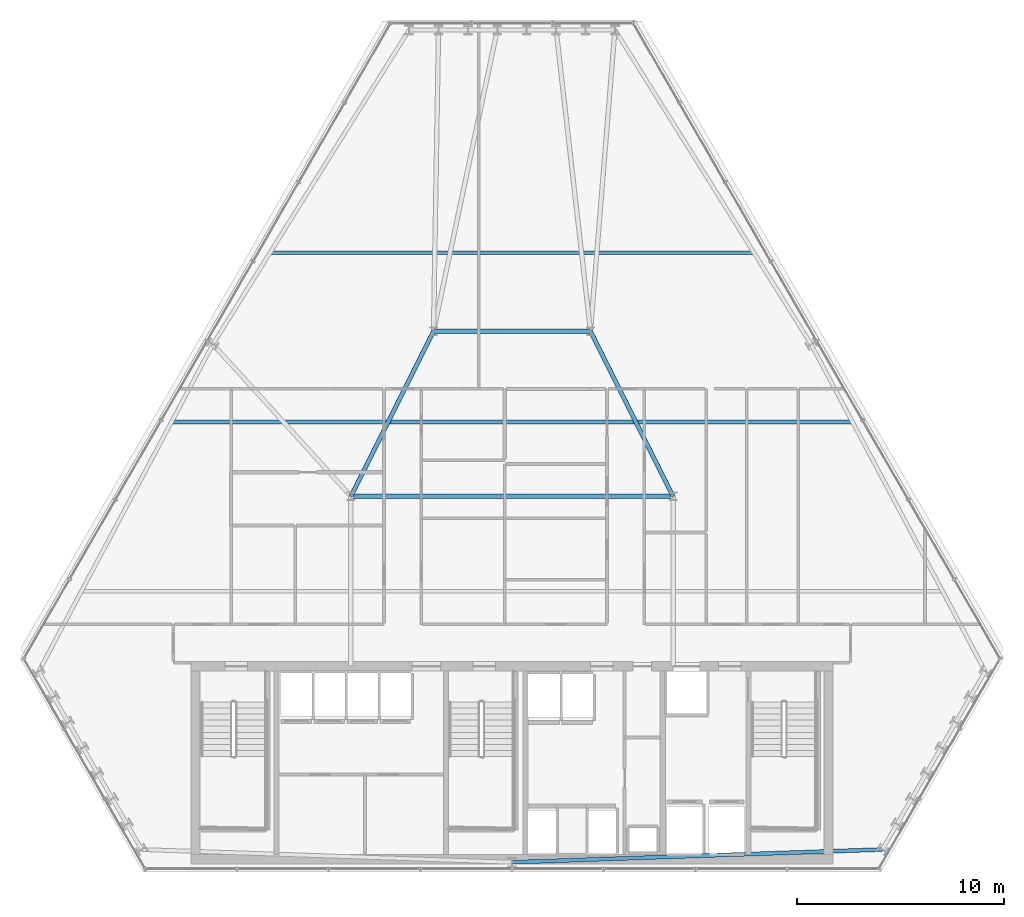
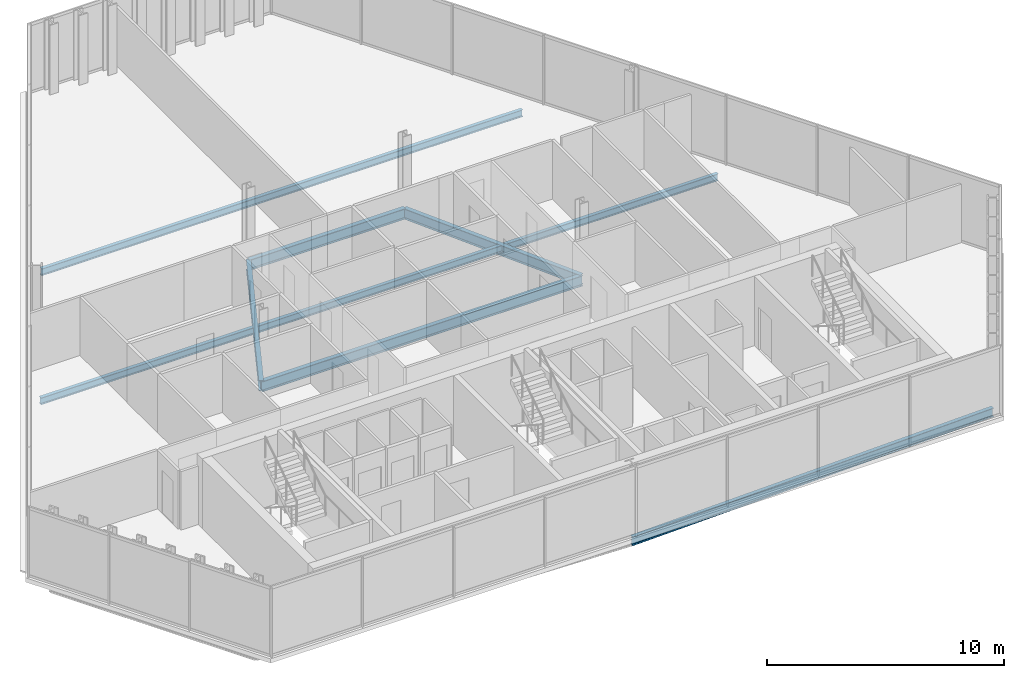
# One storey, part 14 of 31: 7 beams.
"""IFC4 building model written with IfcOpenShell, lengths in metres."""

from ifc_helpers import new_model, si_unit, direction, frame, origin, origin_2d, place, context, subcontext, project, spatial, i_section, extrude, material, material_profile, profile_set, type_object, element, save


model = new_model("IFC4")

# Units and contexts
model_context = context("Model", 3, precision=1e-05, world=origin(), true_north=direction((0.0, 1.0)))
body_context = subcontext(model_context, "Body", "Model", "MODEL_VIEW")
ifc_project = project(units=[si_unit("LENGTHUNIT", "METRE"), si_unit("AREAUNIT", "SQUARE_METRE"), si_unit("VOLUMEUNIT", "CUBIC_METRE"), si_unit("PLANEANGLEUNIT", "RADIAN"), si_unit("MASSUNIT", "GRAM", prefix="KILO")], contexts=[model_context])

# Site, building, storey
site_placement = place(None, origin())
site = spatial("IfcSite", under=ifc_project, at=site_placement, CompositionType="ELEMENT")
building_placement = place(site_placement, origin())
building = spatial("IfcBuilding", under=site, at=building_placement, Name="Ndaravel Arena Tower", CompositionType="ELEMENT")
storey_placement = place(building_placement, frame((0.0, 0.0, 138.39990234375)))
storey = spatial("IfcBuildingStorey", under=building, at=storey_placement, Name="L32", CompositionType="ELEMENT", Elevation=138.39990234375)

# Beams
ifc_material_1 = material(Name="Steel S355", Category="steel")
ifc_material_profile_1 = material_profile(ifc_material_1, i_section(OverallWidth=0.210693359375, OverallDepth=0.53955078125, WebThickness=0.01171875, FlangeThickness=0.018798828125, FilletRadius=0.0126953125, at=origin_2d()), Name="UB 533x210x109")
ifc_profile_set_1 = profile_set([ifc_material_profile_1], Name="Steel S355")
beam_type_1 = type_object("IfcBeamType", Name="BM-GIRD-UB533", PredefinedType="BEAM", material=ifc_profile_set_1)
beam_1_placement = place(storey_placement, frame((34.199951171875, 23.199951171875, -0.489501953125), z_axis=(1.0, 0.0, 0.0), x_axis=(0.0, 1.0, 0.0)))
element("IfcBeam", 1, at=beam_1_placement, inside=storey, type_object=beam_type_1, Name="L32 Spine Link Girder SLG-03", PredefinedType="BEAM", context=body_context, shape_type="SweptSolid", body=[
    extrude(i_section(OverallWidth=0.210693359375, OverallDepth=0.53955078125, WebThickness=0.01171875, FlangeThickness=0.018798828125, FilletRadius=0.0126953125, at=origin_2d()), origin(), (0.0, 0.0, 1.0), 15.60009765625),
])
for number, where, z_axis, x_axis, name in (
    (2, (34.199951171875, 23.199951171875, -0.489501953125), (0.4472135955, 0.894427191, 0.0), (-0.894427191, 0.4472135955, 0.0), "L32 Spine Link Girder SLG-04"),
    (3, (49.800048828125, 23.199951171875, -0.489501953125), (-0.4472135955, 0.894427191, 0.0), (-0.894427191, -0.4472135955, 0.0), "L32 Spine Link Girder SLG-05"),
):
    element("IfcBeam", number, at=place(storey_placement, frame(where, z_axis=z_axis, x_axis=x_axis)), inside=storey, type_object=beam_type_1, Name=name, PredefinedType="BEAM", context=body_context, shape_type="SweptSolid", body=[
        extrude(i_section(OverallWidth=0.210693359375, OverallDepth=0.53955078125, WebThickness=0.01171875, FlangeThickness=0.018798828125, FilletRadius=0.0126953125, at=origin_2d()), origin(), (0.0, 0.0, 1.0), 8.9443359375),
    ])
beam_2_placement = place(storey_placement, frame((38.199951171875, 31.199951171875, -0.489501953125), z_axis=(1.0, 0.0, 0.0), x_axis=(0.0, 1.0, 0.0)))
element("IfcBeam", 4, at=beam_2_placement, inside=storey, type_object=beam_type_1, Name="L32 Spine Link Girder SLG-06", PredefinedType="BEAM", context=body_context, shape_type="SweptSolid", body=[
    extrude(i_section(OverallWidth=0.210693359375, OverallDepth=0.53955078125, WebThickness=0.01171875, FlangeThickness=0.018798828125, FilletRadius=0.0126953125, at=origin_2d()), origin(), (0.0, 0.0, 1.0), 7.60009765625),
])
ifc_material_2 = material(Name="Steel S355", Category="steel")
ifc_material_profile_2 = material_profile(ifc_material_2, i_section(OverallWidth=0.172119140625, OverallDepth=0.35791015625, WebThickness=0.008056640625, FlangeThickness=0.012939453125, FilletRadius=0.01025390625, at=origin_2d()), Name="UB 356x171x57")
ifc_profile_set_2 = profile_set([ifc_material_profile_2], Name="Steel S355")
beam_type_2 = type_object("IfcBeamType", Name="BM-JOIST-UB356", PredefinedType="JOIST", material=ifc_profile_set_2)
beam_3_placement = place(storey_placement, frame((25.513671875, 26.800048828125, -0.39892578125), z_axis=(1.0, 0.0, 0.0), x_axis=(0.0, 1.0, 0.0)))
element("IfcBeam", 5, at=beam_3_placement, inside=storey, type_object=beam_type_2, Name="L32 Composite Floor Joist FJ-02", PredefinedType="JOIST", context=body_context, shape_type="SweptSolid", body=[
    extrude(i_section(OverallWidth=0.172119140625, OverallDepth=0.35791015625, WebThickness=0.008056640625, FlangeThickness=0.012939453125, FilletRadius=0.01025390625, at=origin_2d()), origin(), (0.0, 0.0, 1.0), 32.97265625),
])
beam_4_placement = place(storey_placement, frame((30.2861328125, 35.0, -0.39892578125), z_axis=(1.0, 0.0, 0.0), x_axis=(0.0, 1.0, 0.0)))
element("IfcBeam", 6, at=beam_4_placement, inside=storey, type_object=beam_type_2, Name="L32 Composite Floor Joist FJ-03", PredefinedType="JOIST", context=body_context, shape_type="SweptSolid", body=[
    extrude(i_section(OverallWidth=0.172119140625, OverallDepth=0.35791015625, WebThickness=0.008056640625, FlangeThickness=0.012939453125, FilletRadius=0.01025390625, at=origin_2d()), origin(), (0.0, 0.0, 1.0), 23.427734375),
])
ifc_material_3 = material(Name="Steel S355", Category="steel")
ifc_material_profile_3 = material_profile(ifc_material_3, i_section(OverallWidth=0.18994140625, OverallDepth=0.449951171875, WebThickness=0.009521484375, FlangeThickness=0.0146484375, FilletRadius=0.02099609375, at=origin_2d()), Name="IPE 450")
ifc_profile_set_3 = profile_set([ifc_material_profile_3], Name="Steel S355")
beam_type_3 = type_object("IfcBeamType", Name="BM-SPAN-IPE450", PredefinedType="SPANDREL", material=ifc_profile_set_3)
beam_5_placement = place(storey_placement, frame((42.0, 5.47998046875, -0.44482421875), z_axis=(0.99940958159, 0.03435823374, 0.0), x_axis=(-0.03435823374, 0.99940958159, 0.0)))
element("IfcBeam", 7, at=beam_5_placement, inside=storey, type_object=beam_type_3, Name="L32 Perimeter Spandrel Beam SP-01", PredefinedType="SPANDREL", context=body_context, shape_type="SweptSolid", body=[
    extrude(i_section(OverallWidth=0.18994140625, OverallDepth=0.449951171875, WebThickness=0.009521484375, FlangeThickness=0.0146484375, FilletRadius=0.02099609375, at=origin_2d()), origin(), (0.0, 0.0, 1.0), 17.94189453125),
])

save(model, "model.ifc")
